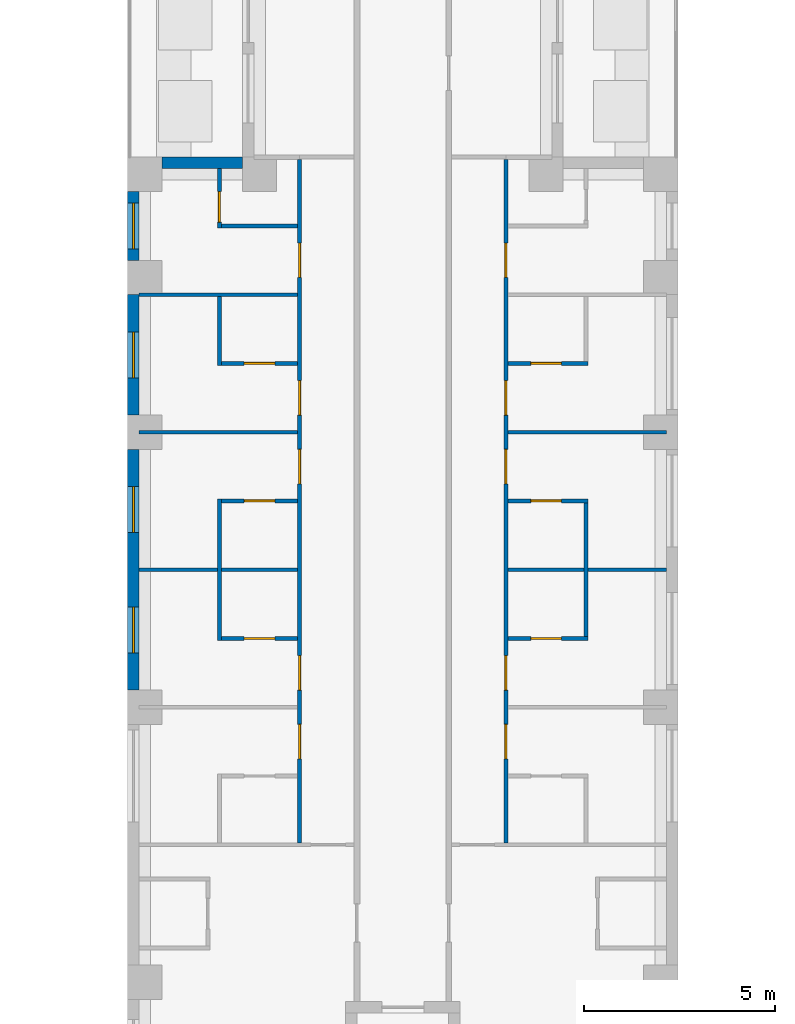
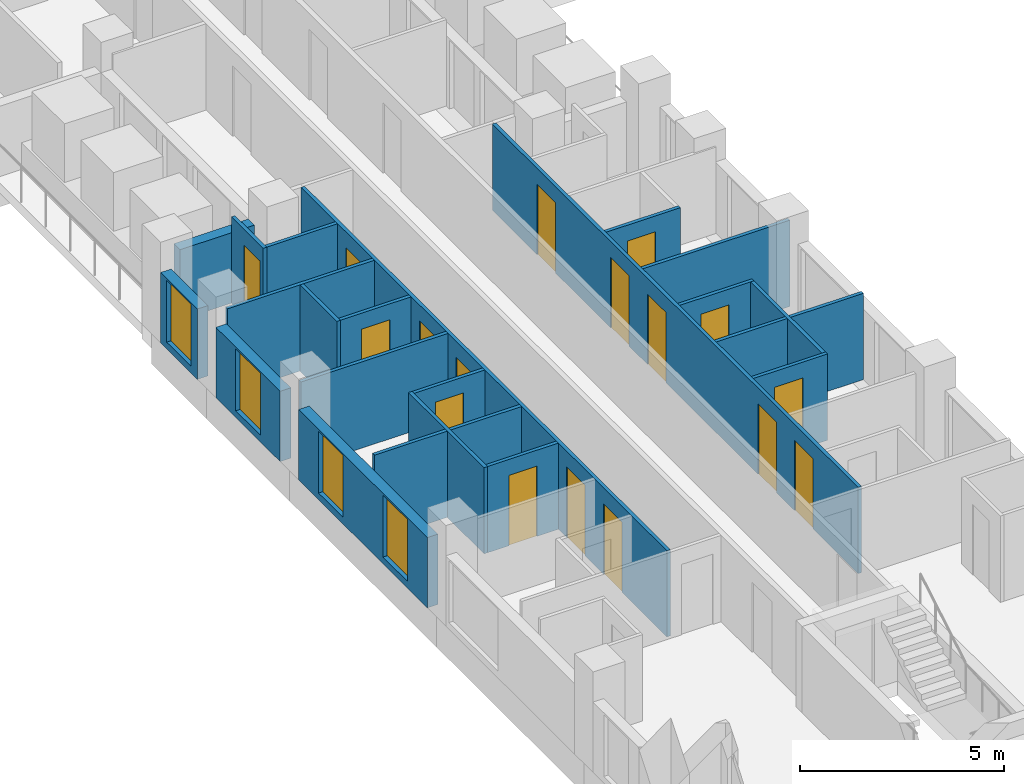
# One storey, part 4 of 14: 22 walls, 17 doors, 4 windows, 21 openings.
"""IFC4 building model written with IfcOpenShell, lengths in metres."""

from ifc_helpers import new_model, si_unit, direction, frame, frame_2d, origin, place, context, subcontext, project, spatial, rectangle, extrude, material, layer, layer_set, type_object, element, fill, save


model = new_model("IFC4")

# Units and contexts
model_context = context("Model", 3, precision=1e-05, world=origin(), true_north=direction((0.0, 1.0)))
body_context = subcontext(model_context, "Body", "Model", "MODEL_VIEW")
ifc_project = project(units=[si_unit("LENGTHUNIT", "METRE"), si_unit("AREAUNIT", "SQUARE_METRE"), si_unit("VOLUMEUNIT", "CUBIC_METRE"), si_unit("PLANEANGLEUNIT", "RADIAN"), si_unit("MASSUNIT", "GRAM", prefix="KILO")], contexts=[model_context])

# Site, building, storey
site_placement = place(None, origin())
site = spatial("IfcSite", under=ifc_project, at=site_placement, CompositionType="ELEMENT")
building_placement = place(site_placement, origin())
building = spatial("IfcBuilding", under=site, at=building_placement, Name="Fustian Cross Tower", CompositionType="ELEMENT")
storey_placement = place(building_placement, frame((0.0, 0.0, 99.89990234375)))
storey = spatial("IfcBuildingStorey", under=building, at=storey_placement, Name="L31", CompositionType="ELEMENT", Elevation=99.89990234375)

# Walls
ifc_material_1 = material(Name="Plasterboard on steel stud", Category="steel")
ifc_layer_1 = layer(ifc_material_1, 0.10009765625)
ifc_layer_set_1 = layer_set([ifc_layer_1], Name="Plasterboard on steel stud")
wall_type_1 = type_object("IfcWallType", Name="PARTITION 100 STUD", PredefinedType="PARTITIONING", material=ifc_layer_set_1)
for number, where, z_axis, x_axis, name in (
    (1, (-6.89990234375, -25.199951171875, 0.0), (0.0, 0.0, 1.0), (1.0, 0.0, 0.0), "Partition 19"),
    (2, (-6.89990234375, -21.60009765625, 0.0), (0.0, 0.0, 1.0), (1.0, 0.0, 0.0), "Partition 20"),
    (3, (-6.89990234375, -18.0, 0.0), (0.0, 0.0, 1.0), (1.0, 0.0, 0.0), "Partition 21"),
):
    element("IfcWall", number, at=place(storey_placement, frame(where, z_axis=z_axis, x_axis=x_axis)), inside=storey, type_object=wall_type_1, Name=name, PredefinedType="PARTITIONING", context=body_context, shape_type="SweptSolid", body=[
        extrude(rectangle(XDim=4.14990234375, YDim=0.10009765625, at=frame_2d((2.074951171875, 0.0))), origin(), (0.0, 0.0, 1.0), 2.5751953125),
    ])
wall_1_placement = place(storey_placement, frame((-4.800048828125, -27.050048828125, 0.0), z_axis=(0.0, 0.0, 1.0), x_axis=(0.0, 1.0, 0.0)))
element("IfcWall", 4, at=wall_1_placement, inside=storey, type_object=wall_type_1, Name="Partition 26", PredefinedType="PARTITIONING", context=body_context, shape_type="SweptSolid", body=[
    extrude(rectangle(XDim=3.699951171875, YDim=0.10009765625, at=frame_2d((1.85009765625, 0.0))), origin(), (0.0, 0.0, 1.0), 2.5751953125),
])

# Wall, opening, door
wall_2_placement = place(storey_placement, frame((-4.75, -27.0, 0.0), z_axis=(0.0, 0.0, 1.0), x_axis=(1.0, 0.0, 0.0)))
wall_2 = element("IfcWall", 5, at=wall_2_placement, inside=storey, type_object=wall_type_1, Name="Partition 27", PredefinedType="PARTITIONING", context=body_context, shape_type="SweptSolid", body=[
    extrude(rectangle(XDim=2.0, YDim=0.10009765625, at=frame_2d((1.0, 0.0))), origin(), (0.0, 0.0, 1.0), 2.5751953125),
])
opening_1_placement = place(wall_2_placement, frame((0.60009765625, 0.0, 0.0)))
opening_1 = element("IfcOpeningElement", 6, at=opening_1_placement, cuts=wall_2, Name="Opening D14062", PredefinedType="OPENING", context=body_context, shape_type="SweptSolid", body=[
    extrude(rectangle(XDim=0.800048828125, YDim=2.10009765625, at=frame_2d((0.39990234375, 1.050048828125))), frame((0.0, 0.06005859375, 0.0), z_axis=(0.0, -1.0, 0.0), x_axis=(1.0, 0.0, 0.0)), (0.0, 0.0, 1.0), 0.1201171875),
])
ifc_material_2 = material(Name="Painted timber", Category="wood")
door_type_1 = type_object("IfcDoorType", Name="SWING DOOR 800", OperationType="SINGLE_SWING_LEFT", PredefinedType="DOOR", material=ifc_material_2)
door_1_placement = place(opening_1_placement, origin())
door_1 = element("IfcDoor", 7, at=door_1_placement, inside=storey, type_object=door_type_1, Name="Door D14062", OperationType="SINGLE_SWING_LEFT", OverallHeight=2.10009765625, OverallWidth=0.800048828125, PredefinedType="DOOR", context=body_context, shape_type="SweptSolid", body=[
    extrude(rectangle(XDim=0.800048828125, YDim=2.10009765625, at=frame_2d((0.39990234375, 1.050048828125))), frame((0.0, 0.02490234375, 0.0), z_axis=(0.0, -1.0, 0.0), x_axis=(1.0, 0.0, 0.0)), (0.0, 0.0, 1.0), 0.050048828125),
])
fill(opening_1, door_1)

wall_3_placement = place(storey_placement, frame((-4.75, -23.39990234375, 0.0), z_axis=(0.0, 0.0, 1.0), x_axis=(1.0, 0.0, 0.0)))
wall_3 = element("IfcWall", 8, at=wall_3_placement, inside=storey, type_object=wall_type_1, Name="Partition 28", PredefinedType="PARTITIONING", context=body_context, shape_type="SweptSolid", body=[
    extrude(rectangle(XDim=2.0, YDim=0.10009765625, at=frame_2d((1.0, 0.0))), origin(), (0.0, 0.0, 1.0), 2.5751953125),
])
opening_2_placement = place(wall_3_placement, frame((0.60009765625, 0.0, 0.0)))
opening_2 = element("IfcOpeningElement", 9, at=opening_2_placement, cuts=wall_3, Name="Opening D14061", PredefinedType="OPENING", context=body_context, shape_type="SweptSolid", body=[
    extrude(rectangle(XDim=0.800048828125, YDim=2.10009765625, at=frame_2d((0.39990234375, 1.050048828125))), frame((0.0, 0.06005859375, 0.0), z_axis=(0.0, -1.0, 0.0), x_axis=(1.0, 0.0, 0.0)), (0.0, 0.0, 1.0), 0.1201171875),
])
door_2_placement = place(opening_2_placement, frame((0.800048828125, 0.0, 0.0), z_axis=(0.0, 0.0, 1.0), x_axis=(-1.0, 0.0, 0.0)))
door_2 = element("IfcDoor", 10, at=door_2_placement, inside=storey, type_object=door_type_1, Name="Door D14061", OperationType="SINGLE_SWING_RIGHT", OverallHeight=2.10009765625, OverallWidth=0.800048828125, PredefinedType="DOOR", context=body_context, shape_type="SweptSolid", body=[
    extrude(rectangle(XDim=0.800048828125, YDim=2.10009765625, at=frame_2d((0.39990234375, 1.050048828125))), frame((0.0, 0.02490234375, 0.0), z_axis=(0.0, -1.0, 0.0), x_axis=(1.0, 0.0, 0.0)), (0.0, 0.0, 1.0), 0.050048828125),
])
fill(opening_2, door_2)

# Wall
wall_4_placement = place(storey_placement, frame((-4.800048828125, -19.85009765625, 0.0), z_axis=(0.0, 0.0, 1.0), x_axis=(0.0, 1.0, 0.0)))
element("IfcWall", 11, at=wall_4_placement, inside=storey, type_object=wall_type_1, Name="Partition 29", PredefinedType="PARTITIONING", context=body_context, shape_type="SweptSolid", body=[
    extrude(rectangle(XDim=1.800048828125, YDim=0.10009765625, at=frame_2d((0.89990234375, 0.0))), origin(), (0.0, 0.0, 1.0), 2.5751953125),
])

# Wall, opening, door
wall_5_placement = place(storey_placement, frame((-4.75, -19.800048828125, 0.0), z_axis=(0.0, 0.0, 1.0), x_axis=(1.0, 0.0, 0.0)))
wall_5 = element("IfcWall", 12, at=wall_5_placement, inside=storey, type_object=wall_type_1, Name="Partition 30", PredefinedType="PARTITIONING", context=body_context, shape_type="SweptSolid", body=[
    extrude(rectangle(XDim=2.0, YDim=0.10009765625, at=frame_2d((1.0, 0.0))), origin(), (0.0, 0.0, 1.0), 2.5751953125),
])
opening_3_placement = place(wall_5_placement, frame((0.60009765625, 0.0, 0.0)))
opening_3 = element("IfcOpeningElement", 13, at=opening_3_placement, cuts=wall_5, Name="Opening D14060", PredefinedType="OPENING", context=body_context, shape_type="SweptSolid", body=[
    extrude(rectangle(XDim=0.800048828125, YDim=2.10009765625, at=frame_2d((0.39990234375, 1.050048828125))), frame((0.0, 0.06005859375, 0.0), z_axis=(0.0, -1.0, 0.0), x_axis=(1.0, 0.0, 0.0)), (0.0, 0.0, 1.0), 0.1201171875),
])
door_3_placement = place(opening_3_placement, origin())
door_3 = element("IfcDoor", 14, at=door_3_placement, inside=storey, type_object=door_type_1, Name="Door D14060", OperationType="SINGLE_SWING_LEFT", OverallHeight=2.10009765625, OverallWidth=0.800048828125, PredefinedType="DOOR", context=body_context, shape_type="SweptSolid", body=[
    extrude(rectangle(XDim=0.800048828125, YDim=2.10009765625, at=frame_2d((0.39990234375, 1.050048828125))), frame((0.0, 0.02490234375, 0.0), z_axis=(0.0, -1.0, 0.0), x_axis=(1.0, 0.0, 0.0)), (0.0, 0.0, 1.0), 0.050048828125),
])
fill(opening_3, door_3)

wall_6_placement = place(storey_placement, frame((-4.800048828125, -16.25, 0.0), z_axis=(0.0, 0.0, 1.0), x_axis=(0.0, 1.0, 0.0)))
wall_6 = element("IfcWall", 15, at=wall_6_placement, inside=storey, type_object=wall_type_1, Name="Partition 31", PredefinedType="PARTITIONING", context=body_context, shape_type="SweptSolid", body=[
    extrude(rectangle(XDim=1.550048828125, YDim=0.10009765625, at=frame_2d((0.77490234375, 0.0))), origin(), (0.0, 0.0, 1.0), 2.5751953125),
])
opening_4_placement = place(wall_6_placement, frame((0.14990234375, 0.0, 0.0)))
opening_4 = element("IfcOpeningElement", 16, at=opening_4_placement, cuts=wall_6, Name="Opening D14059", PredefinedType="OPENING", context=body_context, shape_type="SweptSolid", body=[
    extrude(rectangle(XDim=0.800048828125, YDim=2.10009765625, at=frame_2d((0.39990234375, 1.050048828125))), frame((0.0, 0.06005859375, 0.0), z_axis=(0.0, -1.0, 0.0), x_axis=(1.0, 0.0, 0.0)), (0.0, 0.0, 1.0), 0.1201171875),
])
door_4_placement = place(opening_4_placement, frame((0.800048828125, 0.0, 0.0), z_axis=(0.0, 0.0, 1.0), x_axis=(-1.0, 0.0, 0.0)))
door_4 = element("IfcDoor", 17, at=door_4_placement, inside=storey, type_object=door_type_1, Name="Door D14059", OperationType="SINGLE_SWING_RIGHT", OverallHeight=2.10009765625, OverallWidth=0.800048828125, PredefinedType="DOOR", context=body_context, shape_type="SweptSolid", body=[
    extrude(rectangle(XDim=0.800048828125, YDim=2.10009765625, at=frame_2d((0.39990234375, 1.050048828125))), frame((0.0, 0.02490234375, 0.0), z_axis=(0.0, -1.0, 0.0), x_axis=(1.0, 0.0, 0.0)), (0.0, 0.0, 1.0), 0.050048828125),
])
fill(opening_4, door_4)

# Wall
wall_7_placement = place(storey_placement, frame((-4.75, -16.199951171875, 0.0), z_axis=(0.0, 0.0, 1.0), x_axis=(1.0, 0.0, 0.0)))
element("IfcWall", 18, at=wall_7_placement, inside=storey, type_object=wall_type_1, Name="Partition 32", PredefinedType="PARTITIONING", context=body_context, shape_type="SweptSolid", body=[
    extrude(rectangle(XDim=2.0, YDim=0.10009765625, at=frame_2d((1.0, 0.0))), origin(), (0.0, 0.0, 1.0), 2.5751953125),
])

# Wall, openings, doors
wall_8_placement = place(storey_placement, frame((-2.699951171875, -32.35009765625, 0.0), z_axis=(0.0, 0.0, 1.0), x_axis=(0.0, 1.0, 0.0)))
wall_8 = element("IfcWall", 19, at=wall_8_placement, inside=storey, type_object=wall_type_1, Name="Partition 39", PredefinedType="PARTITIONING", context=body_context, shape_type="SweptSolid", body=[
    extrude(rectangle(XDim=17.8876953125, YDim=0.10009765625, at=frame_2d((8.94384765625, 0.0))), origin(), (0.0, 0.0, 1.0), 2.5751953125),
])
opening_5_placement = place(wall_8_placement, frame((2.199951171875, 0.0, 0.0)))
opening_5 = element("IfcOpeningElement", 20, at=opening_5_placement, cuts=wall_8, Name="Opening D14053", PredefinedType="OPENING", context=body_context, shape_type="SweptSolid", body=[
    extrude(rectangle(XDim=0.89990234375, YDim=2.10009765625, at=frame_2d((0.449951171875, 1.050048828125))), frame((0.0, 0.06005859375, 0.0), z_axis=(0.0, -1.0, 0.0), x_axis=(1.0, 0.0, 0.0)), (0.0, 0.0, 1.0), 0.1201171875),
])
opening_6_placement = place(wall_8_placement, frame((4.0, 0.0, 0.0)))
opening_6 = element("IfcOpeningElement", 21, at=opening_6_placement, cuts=wall_8, Name="Opening D14054", PredefinedType="OPENING", context=body_context, shape_type="SweptSolid", body=[
    extrude(rectangle(XDim=0.89990234375, YDim=2.10009765625, at=frame_2d((0.449951171875, 1.050048828125))), frame((0.0, 0.06005859375, 0.0), z_axis=(0.0, -1.0, 0.0), x_axis=(1.0, 0.0, 0.0)), (0.0, 0.0, 1.0), 0.1201171875),
])
opening_7_placement = place(wall_8_placement, frame((9.39990234375, 0.0, 0.0)))
opening_7 = element("IfcOpeningElement", 22, at=opening_7_placement, cuts=wall_8, Name="Opening D14055", PredefinedType="OPENING", context=body_context, shape_type="SweptSolid", body=[
    extrude(rectangle(XDim=0.89990234375, YDim=2.10009765625, at=frame_2d((0.449951171875, 1.050048828125))), frame((0.0, 0.06005859375, 0.0), z_axis=(0.0, -1.0, 0.0), x_axis=(1.0, 0.0, 0.0)), (0.0, 0.0, 1.0), 0.1201171875),
])
opening_8_placement = place(wall_8_placement, frame((11.199951171875, 0.0, 0.0)))
opening_8 = element("IfcOpeningElement", 23, at=opening_8_placement, cuts=wall_8, Name="Opening D14056", PredefinedType="OPENING", context=body_context, shape_type="SweptSolid", body=[
    extrude(rectangle(XDim=0.89990234375, YDim=2.10009765625, at=frame_2d((0.449951171875, 1.050048828125))), frame((0.0, 0.06005859375, 0.0), z_axis=(0.0, -1.0, 0.0), x_axis=(1.0, 0.0, 0.0)), (0.0, 0.0, 1.0), 0.1201171875),
])
opening_9_placement = place(wall_8_placement, frame((14.800048828125, 0.0, 0.0)))
opening_9 = element("IfcOpeningElement", 24, at=opening_9_placement, cuts=wall_8, Name="Opening D14057", PredefinedType="OPENING", context=body_context, shape_type="SweptSolid", body=[
    extrude(rectangle(XDim=0.89990234375, YDim=2.10009765625, at=frame_2d((0.449951171875, 1.050048828125))), frame((0.0, 0.06005859375, 0.0), z_axis=(0.0, -1.0, 0.0), x_axis=(1.0, 0.0, 0.0)), (0.0, 0.0, 1.0), 0.1201171875),
])
ifc_material_3 = material(Name="Painted timber", Category="wood")
door_type_2 = type_object("IfcDoorType", Name="SWING DOOR 900", OperationType="SINGLE_SWING_LEFT", PredefinedType="DOOR", material=ifc_material_3)
door_5_placement = place(opening_5_placement, origin())
door_5 = element("IfcDoor", 25, at=door_5_placement, inside=storey, type_object=door_type_2, Name="Door D14053", OperationType="SINGLE_SWING_LEFT", OverallHeight=2.10009765625, OverallWidth=0.89990234375, PredefinedType="DOOR", context=body_context, shape_type="SweptSolid", body=[
    extrude(rectangle(XDim=0.89990234375, YDim=2.10009765625, at=frame_2d((0.449951171875, 1.050048828125))), frame((0.0, 0.02490234375, 0.0), z_axis=(0.0, -1.0, 0.0), x_axis=(1.0, 0.0, 0.0)), (0.0, 0.0, 1.0), 0.050048828125),
])
fill(opening_5, door_5)
door_6_placement = place(opening_6_placement, origin())
door_6 = element("IfcDoor", 26, at=door_6_placement, inside=storey, type_object=door_type_2, Name="Door D14054", OperationType="SINGLE_SWING_LEFT", OverallHeight=2.10009765625, OverallWidth=0.89990234375, PredefinedType="DOOR", context=body_context, shape_type="SweptSolid", body=[
    extrude(rectangle(XDim=0.89990234375, YDim=2.10009765625, at=frame_2d((0.449951171875, 1.050048828125))), frame((0.0, 0.02490234375, 0.0), z_axis=(0.0, -1.0, 0.0), x_axis=(1.0, 0.0, 0.0)), (0.0, 0.0, 1.0), 0.050048828125),
])
fill(opening_6, door_6)
door_7_placement = place(opening_7_placement, origin())
door_7 = element("IfcDoor", 27, at=door_7_placement, inside=storey, type_object=door_type_2, Name="Door D14055", OperationType="SINGLE_SWING_LEFT", OverallHeight=2.10009765625, OverallWidth=0.89990234375, PredefinedType="DOOR", context=body_context, shape_type="SweptSolid", body=[
    extrude(rectangle(XDim=0.89990234375, YDim=2.10009765625, at=frame_2d((0.449951171875, 1.050048828125))), frame((0.0, 0.02490234375, 0.0), z_axis=(0.0, -1.0, 0.0), x_axis=(1.0, 0.0, 0.0)), (0.0, 0.0, 1.0), 0.050048828125),
])
fill(opening_7, door_7)
door_8_placement = place(opening_8_placement, origin())
door_8 = element("IfcDoor", 28, at=door_8_placement, inside=storey, type_object=door_type_2, Name="Door D14056", OperationType="SINGLE_SWING_LEFT", OverallHeight=2.10009765625, OverallWidth=0.89990234375, PredefinedType="DOOR", context=body_context, shape_type="SweptSolid", body=[
    extrude(rectangle(XDim=0.89990234375, YDim=2.10009765625, at=frame_2d((0.449951171875, 1.050048828125))), frame((0.0, 0.02490234375, 0.0), z_axis=(0.0, -1.0, 0.0), x_axis=(1.0, 0.0, 0.0)), (0.0, 0.0, 1.0), 0.050048828125),
])
fill(opening_8, door_8)
door_9_placement = place(opening_9_placement, origin())
door_9 = element("IfcDoor", 29, at=door_9_placement, inside=storey, type_object=door_type_2, Name="Door D14057", OperationType="SINGLE_SWING_LEFT", OverallHeight=2.10009765625, OverallWidth=0.89990234375, PredefinedType="DOOR", context=body_context, shape_type="SweptSolid", body=[
    extrude(rectangle(XDim=0.89990234375, YDim=2.10009765625, at=frame_2d((0.449951171875, 1.050048828125))), frame((0.0, 0.02490234375, 0.0), z_axis=(0.0, -1.0, 0.0), x_axis=(1.0, 0.0, 0.0)), (0.0, 0.0, 1.0), 0.050048828125),
])
fill(opening_9, door_9)

wall_9_placement = place(storey_placement, frame((2.699951171875, -32.35009765625, 0.0), z_axis=(0.0, 0.0, 1.0), x_axis=(0.0, 1.0, 0.0)))
wall_9 = element("IfcWall", 30, at=wall_9_placement, inside=storey, type_object=wall_type_1, Name="Partition 56", PredefinedType="PARTITIONING", context=body_context, shape_type="SweptSolid", body=[
    extrude(rectangle(XDim=17.8876953125, YDim=0.10009765625, at=frame_2d((8.94384765625, 0.0))), origin(), (0.0, 0.0, 1.0), 2.5751953125),
])
opening_10_placement = place(wall_9_placement, frame((2.199951171875, 0.0, 0.0)))
opening_10 = element("IfcOpeningElement", 31, at=opening_10_placement, cuts=wall_9, Name="Opening D14040", PredefinedType="OPENING", context=body_context, shape_type="SweptSolid", body=[
    extrude(rectangle(XDim=0.89990234375, YDim=2.10009765625, at=frame_2d((0.449951171875, 1.050048828125))), frame((0.0, 0.06005859375, 0.0), z_axis=(0.0, -1.0, 0.0), x_axis=(1.0, 0.0, 0.0)), (0.0, 0.0, 1.0), 0.1201171875),
])
opening_11_placement = place(wall_9_placement, frame((4.0, 0.0, 0.0)))
opening_11 = element("IfcOpeningElement", 32, at=opening_11_placement, cuts=wall_9, Name="Opening D14041", PredefinedType="OPENING", context=body_context, shape_type="SweptSolid", body=[
    extrude(rectangle(XDim=0.89990234375, YDim=2.10009765625, at=frame_2d((0.449951171875, 1.050048828125))), frame((0.0, 0.06005859375, 0.0), z_axis=(0.0, -1.0, 0.0), x_axis=(1.0, 0.0, 0.0)), (0.0, 0.0, 1.0), 0.1201171875),
])
opening_12_placement = place(wall_9_placement, frame((9.39990234375, 0.0, 0.0)))
opening_12 = element("IfcOpeningElement", 33, at=opening_12_placement, cuts=wall_9, Name="Opening D14042", PredefinedType="OPENING", context=body_context, shape_type="SweptSolid", body=[
    extrude(rectangle(XDim=0.89990234375, YDim=2.10009765625, at=frame_2d((0.449951171875, 1.050048828125))), frame((0.0, 0.06005859375, 0.0), z_axis=(0.0, -1.0, 0.0), x_axis=(1.0, 0.0, 0.0)), (0.0, 0.0, 1.0), 0.1201171875),
])
opening_13_placement = place(wall_9_placement, frame((11.199951171875, 0.0, 0.0)))
opening_13 = element("IfcOpeningElement", 34, at=opening_13_placement, cuts=wall_9, Name="Opening D14043", PredefinedType="OPENING", context=body_context, shape_type="SweptSolid", body=[
    extrude(rectangle(XDim=0.89990234375, YDim=2.10009765625, at=frame_2d((0.449951171875, 1.050048828125))), frame((0.0, 0.06005859375, 0.0), z_axis=(0.0, -1.0, 0.0), x_axis=(1.0, 0.0, 0.0)), (0.0, 0.0, 1.0), 0.1201171875),
])
opening_14_placement = place(wall_9_placement, frame((14.800048828125, 0.0, 0.0)))
opening_14 = element("IfcOpeningElement", 35, at=opening_14_placement, cuts=wall_9, Name="Opening D14044", PredefinedType="OPENING", context=body_context, shape_type="SweptSolid", body=[
    extrude(rectangle(XDim=0.89990234375, YDim=2.10009765625, at=frame_2d((0.449951171875, 1.050048828125))), frame((0.0, 0.06005859375, 0.0), z_axis=(0.0, -1.0, 0.0), x_axis=(1.0, 0.0, 0.0)), (0.0, 0.0, 1.0), 0.1201171875),
])
door_10_placement = place(opening_10_placement, frame((0.89990234375, 0.0, 0.0), z_axis=(0.0, 0.0, 1.0), x_axis=(-1.0, 0.0, 0.0)))
door_10 = element("IfcDoor", 36, at=door_10_placement, inside=storey, type_object=door_type_2, Name="Door D14040", OperationType="SINGLE_SWING_RIGHT", OverallHeight=2.10009765625, OverallWidth=0.89990234375, PredefinedType="DOOR", context=body_context, shape_type="SweptSolid", body=[
    extrude(rectangle(XDim=0.89990234375, YDim=2.10009765625, at=frame_2d((0.449951171875, 1.050048828125))), frame((0.0, 0.02490234375, 0.0), z_axis=(0.0, -1.0, 0.0), x_axis=(1.0, 0.0, 0.0)), (0.0, 0.0, 1.0), 0.050048828125),
])
fill(opening_10, door_10)
door_11_placement = place(opening_11_placement, frame((0.89990234375, 0.0, 0.0), z_axis=(0.0, 0.0, 1.0), x_axis=(-1.0, 0.0, 0.0)))
door_11 = element("IfcDoor", 37, at=door_11_placement, inside=storey, type_object=door_type_2, Name="Door D14041", OperationType="SINGLE_SWING_RIGHT", OverallHeight=2.10009765625, OverallWidth=0.89990234375, PredefinedType="DOOR", context=body_context, shape_type="SweptSolid", body=[
    extrude(rectangle(XDim=0.89990234375, YDim=2.10009765625, at=frame_2d((0.449951171875, 1.050048828125))), frame((0.0, 0.02490234375, 0.0), z_axis=(0.0, -1.0, 0.0), x_axis=(1.0, 0.0, 0.0)), (0.0, 0.0, 1.0), 0.050048828125),
])
fill(opening_11, door_11)
door_12_placement = place(opening_12_placement, frame((0.89990234375, 0.0, 0.0), z_axis=(0.0, 0.0, 1.0), x_axis=(-1.0, 0.0, 0.0)))
door_12 = element("IfcDoor", 38, at=door_12_placement, inside=storey, type_object=door_type_2, Name="Door D14042", OperationType="SINGLE_SWING_RIGHT", OverallHeight=2.10009765625, OverallWidth=0.89990234375, PredefinedType="DOOR", context=body_context, shape_type="SweptSolid", body=[
    extrude(rectangle(XDim=0.89990234375, YDim=2.10009765625, at=frame_2d((0.449951171875, 1.050048828125))), frame((0.0, 0.02490234375, 0.0), z_axis=(0.0, -1.0, 0.0), x_axis=(1.0, 0.0, 0.0)), (0.0, 0.0, 1.0), 0.050048828125),
])
fill(opening_12, door_12)
door_13_placement = place(opening_13_placement, frame((0.89990234375, 0.0, 0.0), z_axis=(0.0, 0.0, 1.0), x_axis=(-1.0, 0.0, 0.0)))
door_13 = element("IfcDoor", 39, at=door_13_placement, inside=storey, type_object=door_type_2, Name="Door D14043", OperationType="SINGLE_SWING_RIGHT", OverallHeight=2.10009765625, OverallWidth=0.89990234375, PredefinedType="DOOR", context=body_context, shape_type="SweptSolid", body=[
    extrude(rectangle(XDim=0.89990234375, YDim=2.10009765625, at=frame_2d((0.449951171875, 1.050048828125))), frame((0.0, 0.02490234375, 0.0), z_axis=(0.0, -1.0, 0.0), x_axis=(1.0, 0.0, 0.0)), (0.0, 0.0, 1.0), 0.050048828125),
])
fill(opening_13, door_13)
door_14_placement = place(opening_14_placement, frame((0.89990234375, 0.0, 0.0), z_axis=(0.0, 0.0, 1.0), x_axis=(-1.0, 0.0, 0.0)))
door_14 = element("IfcDoor", 40, at=door_14_placement, inside=storey, type_object=door_type_2, Name="Door D14044", OperationType="SINGLE_SWING_RIGHT", OverallHeight=2.10009765625, OverallWidth=0.89990234375, PredefinedType="DOOR", context=body_context, shape_type="SweptSolid", body=[
    extrude(rectangle(XDim=0.89990234375, YDim=2.10009765625, at=frame_2d((0.449951171875, 1.050048828125))), frame((0.0, 0.02490234375, 0.0), z_axis=(0.0, -1.0, 0.0), x_axis=(1.0, 0.0, 0.0)), (0.0, 0.0, 1.0), 0.050048828125),
])
fill(opening_14, door_14)

# Wall, opening, door
wall_10_placement = place(storey_placement, frame((2.75, -27.0, 0.0), z_axis=(0.0, 0.0, 1.0), x_axis=(1.0, 0.0, 0.0)))
wall_10 = element("IfcWall", 41, at=wall_10_placement, inside=storey, type_object=wall_type_1, Name="Partition 59", PredefinedType="PARTITIONING", context=body_context, shape_type="SweptSolid", body=[
    extrude(rectangle(XDim=2.10009765625, YDim=0.10009765625, at=frame_2d((1.050048828125, 0.0))), origin(), (0.0, 0.0, 1.0), 2.5751953125),
])
opening_15_placement = place(wall_10_placement, frame((0.60009765625, 0.0, 0.0)))
opening_15 = element("IfcOpeningElement", 42, at=opening_15_placement, cuts=wall_10, Name="Opening D14048", PredefinedType="OPENING", context=body_context, shape_type="SweptSolid", body=[
    extrude(rectangle(XDim=0.800048828125, YDim=2.10009765625, at=frame_2d((0.39990234375, 1.050048828125))), frame((0.0, 0.06005859375, 0.0), z_axis=(0.0, -1.0, 0.0), x_axis=(1.0, 0.0, 0.0)), (0.0, 0.0, 1.0), 0.1201171875),
])
door_15_placement = place(opening_15_placement, origin())
door_15 = element("IfcDoor", 43, at=door_15_placement, inside=storey, type_object=door_type_1, Name="Door D14048", OperationType="SINGLE_SWING_LEFT", OverallHeight=2.10009765625, OverallWidth=0.800048828125, PredefinedType="DOOR", context=body_context, shape_type="SweptSolid", body=[
    extrude(rectangle(XDim=0.800048828125, YDim=2.10009765625, at=frame_2d((0.39990234375, 1.050048828125))), frame((0.0, 0.02490234375, 0.0), z_axis=(0.0, -1.0, 0.0), x_axis=(1.0, 0.0, 0.0)), (0.0, 0.0, 1.0), 0.050048828125),
])
fill(opening_15, door_15)

# Wall
wall_11_placement = place(storey_placement, frame((2.75, -25.199951171875, 0.0), z_axis=(0.0, 0.0, 1.0), x_axis=(1.0, 0.0, 0.0)))
element("IfcWall", 44, at=wall_11_placement, inside=storey, type_object=wall_type_1, Name="Partition 60", PredefinedType="PARTITIONING", context=body_context, shape_type="SweptSolid", body=[
    extrude(rectangle(XDim=4.14990234375, YDim=0.10009765625, at=frame_2d((2.074951171875, 0.0))), origin(), (0.0, 0.0, 1.0), 2.5751953125),
])

# Wall, opening, door
wall_12_placement = place(storey_placement, frame((2.75, -23.39990234375, 0.0), z_axis=(0.0, 0.0, 1.0), x_axis=(1.0, 0.0, 0.0)))
wall_12 = element("IfcWall", 45, at=wall_12_placement, inside=storey, type_object=wall_type_1, Name="Partition 61", PredefinedType="PARTITIONING", context=body_context, shape_type="SweptSolid", body=[
    extrude(rectangle(XDim=2.10009765625, YDim=0.10009765625, at=frame_2d((1.050048828125, 0.0))), origin(), (0.0, 0.0, 1.0), 2.5751953125),
])
opening_16_placement = place(wall_12_placement, frame((0.60009765625, 0.0, 0.0)))
opening_16 = element("IfcOpeningElement", 46, at=opening_16_placement, cuts=wall_12, Name="Opening D14047", PredefinedType="OPENING", context=body_context, shape_type="SweptSolid", body=[
    extrude(rectangle(XDim=0.800048828125, YDim=2.10009765625, at=frame_2d((0.39990234375, 1.050048828125))), frame((0.0, 0.06005859375, 0.0), z_axis=(0.0, -1.0, 0.0), x_axis=(1.0, 0.0, 0.0)), (0.0, 0.0, 1.0), 0.1201171875),
])
door_16_placement = place(opening_16_placement, frame((0.800048828125, 0.0, 0.0), z_axis=(0.0, 0.0, 1.0), x_axis=(-1.0, 0.0, 0.0)))
door_16 = element("IfcDoor", 47, at=door_16_placement, inside=storey, type_object=door_type_1, Name="Door D14047", OperationType="SINGLE_SWING_RIGHT", OverallHeight=2.10009765625, OverallWidth=0.800048828125, PredefinedType="DOOR", context=body_context, shape_type="SweptSolid", body=[
    extrude(rectangle(XDim=0.800048828125, YDim=2.10009765625, at=frame_2d((0.39990234375, 1.050048828125))), frame((0.0, 0.02490234375, 0.0), z_axis=(0.0, -1.0, 0.0), x_axis=(1.0, 0.0, 0.0)), (0.0, 0.0, 1.0), 0.050048828125),
])
fill(opening_16, door_16)

# Wall
wall_13_placement = place(storey_placement, frame((2.75, -21.60009765625, 0.0), z_axis=(0.0, 0.0, 1.0), x_axis=(1.0, 0.0, 0.0)))
element("IfcWall", 48, at=wall_13_placement, inside=storey, type_object=wall_type_1, Name="Partition 62", PredefinedType="PARTITIONING", context=body_context, shape_type="SweptSolid", body=[
    extrude(rectangle(XDim=4.14990234375, YDim=0.10009765625, at=frame_2d((2.074951171875, 0.0))), origin(), (0.0, 0.0, 1.0), 2.5751953125),
])

# Wall, opening, door
wall_14_placement = place(storey_placement, frame((2.75, -19.800048828125, 0.0), z_axis=(0.0, 0.0, 1.0), x_axis=(1.0, 0.0, 0.0)))
wall_14 = element("IfcWall", 49, at=wall_14_placement, inside=storey, type_object=wall_type_1, Name="Partition 63", PredefinedType="PARTITIONING", context=body_context, shape_type="SweptSolid", body=[
    extrude(rectangle(XDim=2.10009765625, YDim=0.10009765625, at=frame_2d((1.050048828125, 0.0))), origin(), (0.0, 0.0, 1.0), 2.5751953125),
])
opening_17_placement = place(wall_14_placement, frame((0.60009765625, 0.0, 0.0)))
opening_17 = element("IfcOpeningElement", 50, at=opening_17_placement, cuts=wall_14, Name="Opening D14046", PredefinedType="OPENING", context=body_context, shape_type="SweptSolid", body=[
    extrude(rectangle(XDim=0.800048828125, YDim=2.10009765625, at=frame_2d((0.39990234375, 1.050048828125))), frame((0.0, 0.06005859375, 0.0), z_axis=(0.0, -1.0, 0.0), x_axis=(1.0, 0.0, 0.0)), (0.0, 0.0, 1.0), 0.1201171875),
])
door_17_placement = place(opening_17_placement, origin())
door_17 = element("IfcDoor", 51, at=door_17_placement, inside=storey, type_object=door_type_1, Name="Door D14046", OperationType="SINGLE_SWING_LEFT", OverallHeight=2.10009765625, OverallWidth=0.800048828125, PredefinedType="DOOR", context=body_context, shape_type="SweptSolid", body=[
    extrude(rectangle(XDim=0.800048828125, YDim=2.10009765625, at=frame_2d((0.39990234375, 1.050048828125))), frame((0.0, 0.02490234375, 0.0), z_axis=(0.0, -1.0, 0.0), x_axis=(1.0, 0.0, 0.0)), (0.0, 0.0, 1.0), 0.050048828125),
])
fill(opening_17, door_17)

# Walls
wall_15_placement = place(storey_placement, frame((4.800048828125, -26.949951171875, 0.0), z_axis=(0.0, 0.0, 1.0), x_axis=(0.0, 1.0, 0.0)))
element("IfcWall", 52, at=wall_15_placement, inside=storey, type_object=wall_type_1, Name="Partition 70", PredefinedType="PARTITIONING", context=body_context, shape_type="SweptSolid", body=[
    extrude(rectangle(XDim=3.5, YDim=0.10009765625, at=frame_2d((1.75, 0.0))), origin(), (0.0, 0.0, 1.0), 2.5751953125),
])
ifc_material_4 = material(Name="Dark aluminium cladding on insulated backing wall", Category="aluminium")
ifc_layer_2 = layer(ifc_material_4, 0.300048828125)
ifc_layer_set_2 = layer_set([ifc_layer_2], Name="Dark aluminium cladding on insulated backing wall")
wall_type_2 = type_object("IfcWallType", Name="XW1 EXTERNAL WALL 300", PredefinedType="SOLIDWALL", material=ifc_layer_set_2)
wall_16_placement = place(storey_placement, frame((-4.199951171875, -14.550048828125, 0.0), z_axis=(0.0, 0.0, 1.0), x_axis=(-1.0, 0.0, 0.0)))
element("IfcWall", 53, at=wall_16_placement, inside=storey, type_object=wall_type_2, Name="External wall", PredefinedType="SOLIDWALL", context=body_context, shape_type="SweptSolid", body=[
    extrude(rectangle(XDim=2.10009765625, YDim=0.300048828125, at=frame_2d((1.050048828125, 0.0))), origin(), (0.0, 0.0, 1.0), 2.10009765625),
])

# Wall, opening, window
wall_17_placement = place(storey_placement, frame((-7.050048828125, -15.300048828125, 0.0), z_axis=(0.0, 0.0, 1.0), x_axis=(0.0, -1.0, 0.0)))
wall_17 = element("IfcWall", 54, at=wall_17_placement, inside=storey, type_object=wall_type_2, Name="External wall", PredefinedType="SOLIDWALL", context=body_context, shape_type="SweptSolid", body=[
    extrude(rectangle(XDim=1.800048828125, YDim=0.300048828125, at=frame_2d((0.89990234375, 0.0))), origin(), (0.0, 0.0, 1.0), 2.10009765625),
])
opening_18_placement = place(wall_17_placement, frame((0.300048828125, 0.0, 0.199951171875)))
opening_18 = element("IfcOpeningElement", 55, at=opening_18_placement, cuts=wall_17, Name="Opening WN3", PredefinedType="OPENING", context=body_context, shape_type="SweptSolid", body=[
    extrude(rectangle(XDim=1.199951171875, YDim=1.85009765625, at=frame_2d((0.60009765625, 0.925048828125))), frame((0.0, 0.159912109375, 0.0), z_axis=(0.0, -1.0, 0.0), x_axis=(1.0, 0.0, 0.0)), (0.0, 0.0, 1.0), 0.320068359375),
])
ifc_material_5 = material(Name="Dark anodised aluminium and double glazing", Category="aluminium")
window_type = type_object("IfcWindowType", Name="WN3 WINDOW 1200X1850", PartitioningType="SINGLE_PANEL", PredefinedType="WINDOW", material=ifc_material_5)
window_1_placement = place(opening_18_placement, origin())
window_1 = element("IfcWindow", 56, at=window_1_placement, inside=storey, type_object=window_type, Name="Window", OverallHeight=1.85009765625, OverallWidth=1.199951171875, PartitioningType="SINGLE_PANEL", PredefinedType="WINDOW", context=body_context, shape_type="SweptSolid", body=[
    extrude(rectangle(XDim=1.199951171875, YDim=1.85009765625, at=frame_2d((0.60009765625, 0.925048828125))), frame((0.0, 0.030029296875, 0.0), z_axis=(0.0, -1.0, 0.0), x_axis=(1.0, 0.0, 0.0)), (0.0, 0.0, 1.0), 0.06005859375),
])
fill(opening_18, window_1)

wall_18_placement = place(storey_placement, frame((-7.050048828125, -18.0, 0.0), z_axis=(0.0, 0.0, 1.0), x_axis=(0.0, -1.0, 0.0)))
wall_18 = element("IfcWall", 57, at=wall_18_placement, inside=storey, type_object=wall_type_2, Name="External wall", PredefinedType="SOLIDWALL", context=body_context, shape_type="SweptSolid", body=[
    extrude(rectangle(XDim=3.14990234375, YDim=0.300048828125, at=frame_2d((1.574951171875, 0.0))), origin(), (0.0, 0.0, 1.0), 2.10009765625),
])
opening_19_placement = place(wall_18_placement, frame((0.97509765625, 0.0, 0.199951171875)))
opening_19 = element("IfcOpeningElement", 58, at=opening_19_placement, cuts=wall_18, Name="Opening WN3", PredefinedType="OPENING", context=body_context, shape_type="SweptSolid", body=[
    extrude(rectangle(XDim=1.199951171875, YDim=1.85009765625, at=frame_2d((0.60009765625, 0.925048828125))), frame((0.0, 0.159912109375, 0.0), z_axis=(0.0, -1.0, 0.0), x_axis=(1.0, 0.0, 0.0)), (0.0, 0.0, 1.0), 0.320068359375),
])
window_2_placement = place(opening_19_placement, origin())
window_2 = element("IfcWindow", 59, at=window_2_placement, inside=storey, type_object=window_type, Name="Window", OverallHeight=1.85009765625, OverallWidth=1.199951171875, PartitioningType="SINGLE_PANEL", PredefinedType="WINDOW", context=body_context, shape_type="SweptSolid", body=[
    extrude(rectangle(XDim=1.199951171875, YDim=1.85009765625, at=frame_2d((0.60009765625, 0.925048828125))), frame((0.0, 0.030029296875, 0.0), z_axis=(0.0, -1.0, 0.0), x_axis=(1.0, 0.0, 0.0)), (0.0, 0.0, 1.0), 0.06005859375),
])
fill(opening_19, window_2)

# Wall, openings, windows
wall_19_placement = place(storey_placement, frame((-7.050048828125, -22.050048828125, 0.0), z_axis=(0.0, 0.0, 1.0), x_axis=(0.0, -1.0, 0.0)))
wall_19 = element("IfcWall", 60, at=wall_19_placement, inside=storey, type_object=wall_type_2, Name="External wall", PredefinedType="SOLIDWALL", context=body_context, shape_type="SweptSolid", body=[
    extrude(rectangle(XDim=6.300048828125, YDim=0.300048828125, at=frame_2d((3.14990234375, 0.0))), origin(), (0.0, 0.0, 1.0), 2.10009765625),
])
opening_20_placement = place(wall_19_placement, frame((0.97509765625, 0.0, 0.199951171875)))
opening_20 = element("IfcOpeningElement", 61, at=opening_20_placement, cuts=wall_19, Name="Opening WN3", PredefinedType="OPENING", context=body_context, shape_type="SweptSolid", body=[
    extrude(rectangle(XDim=1.199951171875, YDim=1.85009765625, at=frame_2d((0.60009765625, 0.925048828125))), frame((0.0, 0.159912109375, 0.0), z_axis=(0.0, -1.0, 0.0), x_axis=(1.0, 0.0, 0.0)), (0.0, 0.0, 1.0), 0.320068359375),
])
opening_21_placement = place(wall_19_placement, frame((4.125, 0.0, 0.199951171875)))
opening_21 = element("IfcOpeningElement", 62, at=opening_21_placement, cuts=wall_19, Name="Opening WN3", PredefinedType="OPENING", context=body_context, shape_type="SweptSolid", body=[
    extrude(rectangle(XDim=1.199951171875, YDim=1.85009765625, at=frame_2d((0.60009765625, 0.925048828125))), frame((0.0, 0.159912109375, 0.0), z_axis=(0.0, -1.0, 0.0), x_axis=(1.0, 0.0, 0.0)), (0.0, 0.0, 1.0), 0.320068359375),
])
window_3_placement = place(opening_20_placement, origin())
window_3 = element("IfcWindow", 63, at=window_3_placement, inside=storey, type_object=window_type, Name="Window", OverallHeight=1.85009765625, OverallWidth=1.199951171875, PartitioningType="SINGLE_PANEL", PredefinedType="WINDOW", context=body_context, shape_type="SweptSolid", body=[
    extrude(rectangle(XDim=1.199951171875, YDim=1.85009765625, at=frame_2d((0.60009765625, 0.925048828125))), frame((0.0, 0.030029296875, 0.0), z_axis=(0.0, -1.0, 0.0), x_axis=(1.0, 0.0, 0.0)), (0.0, 0.0, 1.0), 0.06005859375),
])
fill(opening_20, window_3)
window_4_placement = place(opening_21_placement, origin())
window_4 = element("IfcWindow", 64, at=window_4_placement, inside=storey, type_object=window_type, Name="Window", OverallHeight=1.85009765625, OverallWidth=1.199951171875, PartitioningType="SINGLE_PANEL", PredefinedType="WINDOW", context=body_context, shape_type="SweptSolid", body=[
    extrude(rectangle(XDim=1.199951171875, YDim=1.85009765625, at=frame_2d((0.60009765625, 0.925048828125))), frame((0.0, 0.030029296875, 0.0), z_axis=(0.0, -1.0, 0.0), x_axis=(1.0, 0.0, 0.0)), (0.0, 0.0, 1.0), 0.06005859375),
])
fill(opening_21, window_4)

save(model, "model.ifc")
